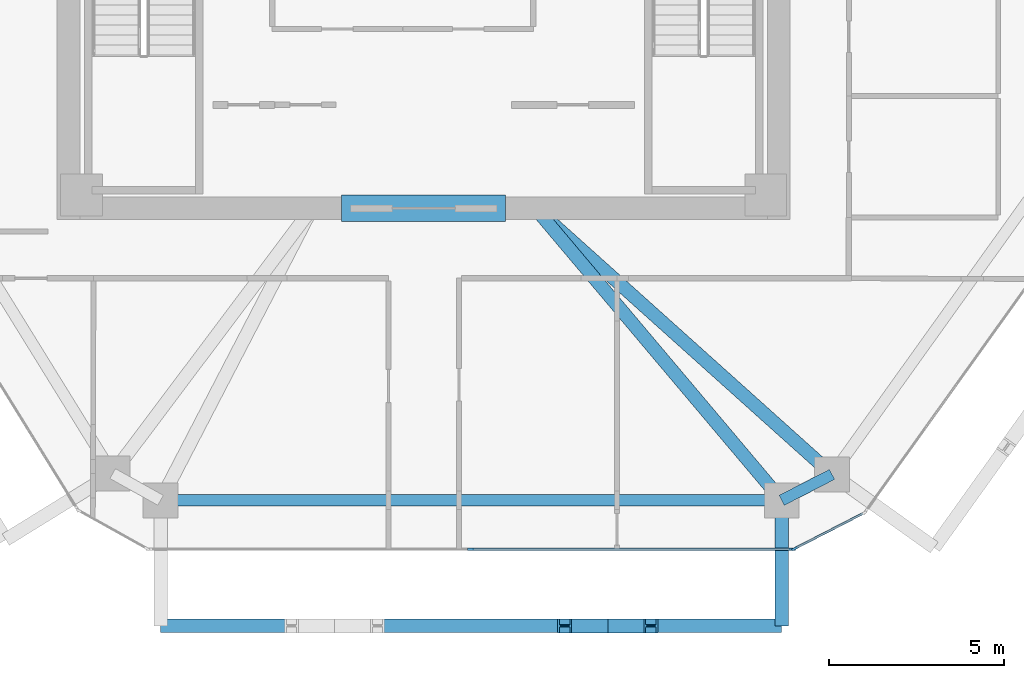
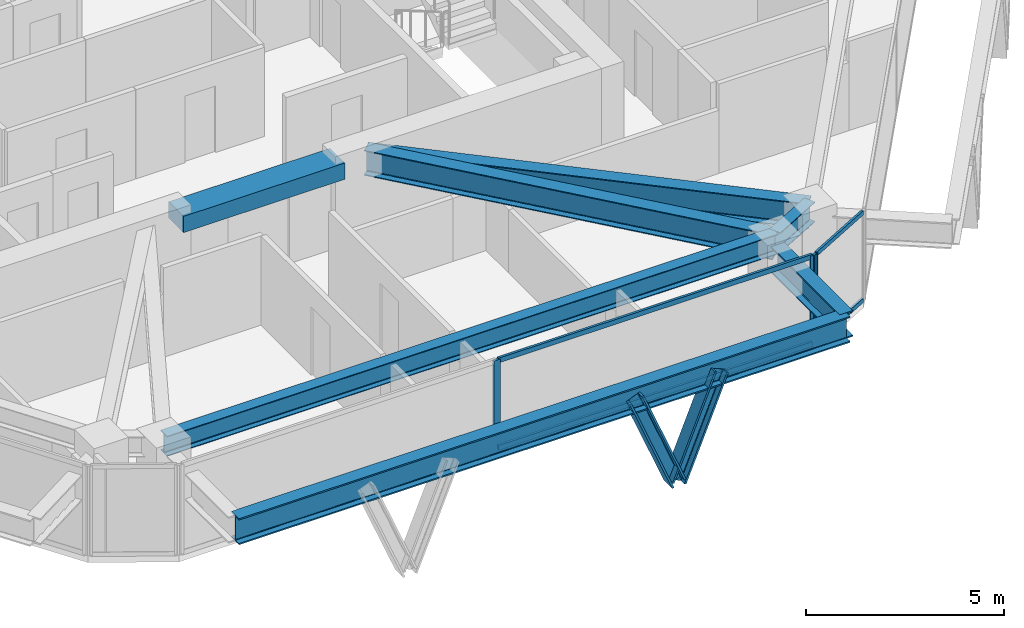
# One storey, part 3 of 12: 9 members, 7 beams, 2 elements without a shape of their own.
"""IFC4 building model written with IfcOpenShell, lengths in metres."""

from ifc_helpers import new_model, si_unit, direction, frame, origin, origin_2d, place, context, subcontext, project, spatial, rectangle, i_section, extrude, source, transform, mapped, material, layer, layer_set, material_profile, profile_set, type_object, type_shapes, element, aggregate, save


model = new_model("IFC4")

# Units and contexts
model_context = context("Model", 3, precision=1e-05, world=origin(), true_north=direction((0.0, 1.0)))
body_context = subcontext(model_context, "Body", "Model", "MODEL_VIEW")
ifc_project = project(units=[si_unit("LENGTHUNIT", "METRE"), si_unit("AREAUNIT", "SQUARE_METRE"), si_unit("VOLUMEUNIT", "CUBIC_METRE"), si_unit("PLANEANGLEUNIT", "RADIAN"), si_unit("MASSUNIT", "GRAM", prefix="KILO")], contexts=[model_context])

# Site, building, storey
site_placement = place(None, origin())
site = spatial("IfcSite", under=ifc_project, at=site_placement, CompositionType="ELEMENT")
building_placement = place(site_placement, origin())
building = spatial("IfcBuilding", under=site, at=building_placement, Name="Durnholm Broadcast Tower", CompositionType="ELEMENT")
storey_placement = place(building_placement, frame((0.0, 0.0, 203.199951171875)))
storey = spatial("IfcBuildingStorey", under=building, at=storey_placement, Name="L56", CompositionType="ELEMENT", Elevation=203.199951171875)

# Beams
ifc_material_1 = material(Name="Steel ASTM A992 Grade 50", Category="steel")
ifc_material_profile_1 = material_profile(ifc_material_1, i_section(OverallWidth=0.385009765625, OverallDepth=0.802978515625, WebThickness=0.023681640625, FlangeThickness=0.0419921875, FilletRadius=0.032958984375, at=origin_2d()), Name="W30X261")
ifc_profile_set_1 = profile_set([ifc_material_profile_1], Name="Steel ASTM A992 Grade 50")
beam_type_1 = type_object("IfcBeamType", Name="BM-EXO-TIE", PredefinedType="USERDEFINED", material=ifc_profile_set_1)
shared_shape_1 = source(origin(), body_context, "Body", "SweptSolid", [
    extrude(i_section(OverallWidth=0.385009765625, OverallDepth=0.802978515625, WebThickness=0.023681640625, FlangeThickness=0.0419921875, FilletRadius=0.032958984375, at=origin_2d()), origin(), (0.0, 0.0, 1.0), 3.4560546875),
])
beam_1_placement = place(storey_placement, frame((10.256591796875, -16.68603515625, 2.008544921875), z_axis=(0.0, -1.0, 0.0), x_axis=(1.0, 0.0, 0.0)))
element("IfcBeam", 1, at=beam_1_placement, inside=storey, type_object=beam_type_1, Name="L56 exoskeleton stand-off tie bracket F1.2", ObjectType="GIRDER", PredefinedType="USERDEFINED", context=body_context, shape_type="MappedRepresentation", body=[
    mapped(shared_shape_1, transform((0.0, 0.0, 0.0), x_axis=(1.0, 0.0, 0.0), y_axis=(0.0, 1.0, 0.0), z_axis=(0.0, 0.0, 1.0), scale=1.0)),
])
ifc_material_2 = material(Name="Concrete C70/85", Category="concrete")
ifc_material_profile_2 = material_profile(ifc_material_2, rectangle(XDim=0.75, YDim=0.5, at=origin_2d()), Name="RC750X500")
ifc_profile_set_2 = profile_set([ifc_material_profile_2], Name="Concrete C70/85")
beam_type_2 = type_object("IfcBeamType", Name="BM-CB-RC500", PredefinedType="LINTEL", material=ifc_profile_set_2)
shared_shape_2 = source(origin(), body_context, "Body", "SweptSolid", [
    extrude(rectangle(XDim=0.75, YDim=0.5, at=origin_2d()), origin(), (0.0, 0.0, 1.0), 4.7001953125),
])
type_shapes(beam_type_2, [shared_shape_2])
beam_2_placement = place(storey_placement, frame((-2.35009765625, -8.175048828125, 2.505126953125), z_axis=(1.0, 0.0, 0.0), x_axis=(0.0, 1.0, 0.0)))
element("IfcBeam", 2, at=beam_2_placement, inside=storey, type_object=beam_type_2, Name="L56 south core coupling lintel beam CB-S", PredefinedType="LINTEL", context=body_context, shape_type="MappedRepresentation", body=[
    mapped(shared_shape_2, transform((0.0, 0.0, 0.0), x_axis=(1.0, 0.0, 0.0), y_axis=(0.0, 1.0, 0.0), z_axis=(0.0, 0.0, 1.0), scale=1.0)),
])
ifc_material_profile_3 = material_profile(ifc_material_1, i_section(OverallWidth=0.3251953125, OverallDepth=0.6162109375, WebThickness=0.013916015625, FlangeThickness=0.021484375, FilletRadius=0.02783203125, at=origin_2d()), Name="W24X117")
ifc_profile_set_3 = profile_set([ifc_material_profile_3], Name="Steel ASTM A992 Grade 50")
beam_type_3 = type_object("IfcBeamType", Name="STL-SP-W24X117", PredefinedType="SPANDREL", material=ifc_profile_set_3)
shared_shape_3 = source(origin(), body_context, "Body", "SweptSolid", [
    extrude(i_section(OverallWidth=0.3251953125, OverallDepth=0.6162109375, WebThickness=0.013916015625, FlangeThickness=0.021484375, FilletRadius=0.02783203125, at=origin_2d()), origin(), (0.0, 0.0, 1.0), 1.62255859375),
])
beam_3_placement = place(storey_placement, frame((11.69970703125, -15.80029296875, 2.43701171875), z_axis=(-0.889406668864, -0.45711680934, 0.0), x_axis=(0.45711680934, -0.889406668864, 0.0)))
element("IfcBeam", 3, at=beam_3_placement, inside=storey, type_object=beam_type_3, Name="L56 perimeter spandrel girder 10", PredefinedType="SPANDREL", context=body_context, shape_type="MappedRepresentation", body=[
    mapped(shared_shape_3, transform((0.0, 0.0, 0.0), x_axis=(1.0, 0.0, 0.0), y_axis=(0.0, 1.0, 0.0), z_axis=(0.0, 0.0, 1.0), scale=1.0)),
])
shared_shape_4 = source(origin(), body_context, "Body", "SweptSolid", [
    extrude(i_section(OverallWidth=0.3251953125, OverallDepth=0.6162109375, WebThickness=0.013916015625, FlangeThickness=0.021484375, FilletRadius=0.02783203125, at=origin_2d()), origin(), (0.0, 0.0, 1.0), 17.796142578125),
])
type_shapes(beam_type_3, [shared_shape_3, shared_shape_4])
beam_4_placement = place(storey_placement, frame((10.256591796875, -16.5419921875, 2.43701171875), z_axis=(-1.0, 0.0, 0.0), x_axis=(0.0, -1.0, 0.0)))
element("IfcBeam", 4, at=beam_4_placement, inside=storey, type_object=beam_type_3, Name="L56 perimeter spandrel girder 11", PredefinedType="SPANDREL", context=body_context, shape_type="MappedRepresentation", body=[
    mapped(shared_shape_4, transform((0.0, 0.0, 0.0), x_axis=(1.0, 0.0, 0.0), y_axis=(0.0, 1.0, 0.0), z_axis=(0.0, 0.0, 1.0), scale=1.0)),
])
shared_shape_5 = source(origin(), body_context, "Body", "SweptSolid", [
    extrude(i_section(OverallWidth=0.385009765625, OverallDepth=0.802978515625, WebThickness=0.023681640625, FlangeThickness=0.0419921875, FilletRadius=0.032958984375, at=origin_2d()), origin(), (0.0, 0.0, 1.0), 17.796142578125),
])
type_shapes(beam_type_1, [shared_shape_1, shared_shape_5])
beam_5_placement = place(storey_placement, frame((-7.53955078125, -20.14208984375, 2.008544921875), z_axis=(1.0, 0.0, 0.0), x_axis=(0.0, 1.0, 0.0)))
element("IfcBeam", 5, at=beam_5_placement, inside=storey, type_object=beam_type_1, Name="L56 exoskeleton collector spandrel F1", PredefinedType="SPANDREL", context=body_context, shape_type="MappedRepresentation", body=[
    mapped(shared_shape_5, transform((0.0, 0.0, 0.0), x_axis=(1.0, 0.0, 0.0), y_axis=(0.0, 1.0, 0.0), z_axis=(0.0, 0.0, 1.0), scale=1.0)),
])
ifc_material_profile_4 = material_profile(ifc_material_1, i_section(OverallWidth=0.380615234375, OverallDepth=0.773193359375, WebThickness=0.0166015625, FlangeThickness=0.027099609375, FilletRadius=0.032958984375, at=origin_2d()), Name="W30X173")
ifc_profile_set_4 = profile_set([ifc_material_profile_4], Name="Steel ASTM A992 Grade 50")
beam_type_4 = type_object("IfcBeamType", Name="STL-GR-W30X173", PredefinedType="USERDEFINED", material=ifc_profile_set_4)
shared_shape_6 = source(origin(), body_context, "Body", "SweptSolid", [
    extrude(i_section(OverallWidth=0.380615234375, OverallDepth=0.773193359375, WebThickness=0.0166015625, FlangeThickness=0.027099609375, FilletRadius=0.032958984375, at=origin_2d()), origin(), (0.0, 0.0, 1.0), 11.4189453125),
])
beam_6_placement = place(storey_placement, frame((3.199951171875, -8.175048828125, 2.3583984375), z_axis=(0.744361631918, -0.667776729849, 0.0), x_axis=(0.667776729849, 0.744361631918, 0.0)))
element("IfcBeam", 6, at=beam_6_placement, inside=storey, type_object=beam_type_4, Name="L56 radial primary floor girder 10", ObjectType="GIRDER", PredefinedType="USERDEFINED", context=body_context, shape_type="MappedRepresentation", body=[
    mapped(shared_shape_6, transform((0.0, 0.0, 0.0), x_axis=(1.0, 0.0, 0.0), y_axis=(0.0, 1.0, 0.0), z_axis=(0.0, 0.0, 1.0), scale=1.0)),
])
shared_shape_7 = source(origin(), body_context, "Body", "SweptSolid", [
    extrude(i_section(OverallWidth=0.380615234375, OverallDepth=0.773193359375, WebThickness=0.0166015625, FlangeThickness=0.027099609375, FilletRadius=0.032958984375, at=origin_2d()), origin(), (0.0, 0.0, 1.0), 10.9453125),
])
type_shapes(beam_type_4, [shared_shape_6, shared_shape_7])
beam_7_placement = place(storey_placement, frame((3.199951171875, -8.175048828125, 2.3583984375), z_axis=(0.644712536066, -0.764425108065, 0.0), x_axis=(0.764425108065, 0.644712536066, 0.0)))
element("IfcBeam", 7, at=beam_7_placement, inside=storey, type_object=beam_type_4, Name="L56 radial primary floor girder 11", ObjectType="GIRDER", PredefinedType="USERDEFINED", context=body_context, shape_type="MappedRepresentation", body=[
    mapped(shared_shape_7, transform((0.0, 0.0, 0.0), x_axis=(1.0, 0.0, 0.0), y_axis=(0.0, 1.0, 0.0), z_axis=(0.0, 0.0, 1.0), scale=1.0)),
])

# Members
ifc_material_3 = material(Name="Steel ASTM A913 Grade 65", Category="steel")
ifc_material_profile_5 = material_profile(ifc_material_3, i_section(OverallWidth=0.412109375, OverallDepth=0.434814453125, WebThickness=0.035888671875, FlangeThickness=0.057373046875, FilletRadius=0.030517578125, at=origin_2d()), Name="W14X311")
ifc_profile_set_5 = profile_set([ifc_material_profile_5], Name="Steel ASTM A913 Grade 65")
member_type_1 = type_object("IfcMemberType", Name="STL-DG-W14X311", PredefinedType="BRACE", material=ifc_profile_set_5)
shared_shape_8 = source(origin(), body_context, "Body", "SweptSolid", [
    extrude(i_section(OverallWidth=0.412109375, OverallDepth=0.434814453125, WebThickness=0.035888671875, FlangeThickness=0.057373046875, FilletRadius=0.030517578125, at=origin_2d()), origin(), (0.0, 0.0, 1.0), 3.243896484375),
])
type_shapes(member_type_1, [shared_shape_8])
for number, where, z_axis, x_axis, name in (
    (8, (5.273681640625, -20.14208984375, -0.991455078125), (-0.380378804119, 0.0, 0.924830776616), (0.0, -1.0, 0.0), "L56 stand-off diagrid brace F1.D2.1"),
    (9, (5.273681640625, -20.14208984375, -0.991455078125), (0.380378804119, 0.0, 0.924830776616), (0.0, 1.0, 0.0), "L56 stand-off diagrid brace F1.D2.2"),
):
    element("IfcMember", number, at=place(storey_placement, frame(where, z_axis=z_axis, x_axis=x_axis)), inside=storey, type_object=member_type_1, Name=name, PredefinedType="BRACE", context=body_context, shape_type="MappedRepresentation", body=[
        mapped(shared_shape_8, transform((0.0, 0.0, 0.0), x_axis=(1.0, 0.0, 0.0), y_axis=(0.0, 1.0, 0.0), z_axis=(0.0, 0.0, 1.0), scale=1.0)),
    ])

# Curtain wall, members
ifc_material_4 = material(Name="Aluminium and Solar Control IGU", Category="aluminium")
ifc_layer_1 = layer(ifc_material_4, 0.1650390625)
ifc_layer_set_1 = layer_set([ifc_layer_1], Name="Aluminium and Solar Control IGU")
curtain_wall_type_1 = type_object("IfcCurtainWallType", Name="CW-SYS-5", PredefinedType="NOTDEFINED", material=ifc_layer_set_1)
curtain_wall_1_placement = place(storey_placement, origin())
curtain_wall_1 = element("IfcCurtainWall", 10, at=curtain_wall_1_placement, inside=storey, type_object=curtain_wall_type_1, Name="L56 curtain wall CW-CORNER CW-L56-CRN-09", PredefinedType="NOTDEFINED")
ifc_material_5 = material(Name="Aluminium 6063-T6", Category="aluminium")
ifc_material_profile_6 = material_profile(ifc_material_5, rectangle(XDim=0.06494140625, YDim=0.1650390625, at=origin_2d()), Name="CWM65X165")
ifc_profile_set_6 = profile_set([ifc_material_profile_6], Name="Aluminium 6063-T6")
member_type_2 = type_object("IfcMemberType", Name="CW-SYS-5-MUL", PredefinedType="MULLION", material=ifc_profile_set_6)
shared_shape_9 = source(origin(), body_context, "Body", "SweptSolid", [
    extrude(rectangle(XDim=0.06494140625, YDim=0.1650390625, at=origin_2d()), origin(), (0.0, 0.0, 1.0), 2.760009765625),
])
type_shapes(member_type_2, [shared_shape_9])
member_1_placement = place(storey_placement, frame((10.624267578125, -17.92724609375, 0.0), z_axis=(0.0, 0.0, 1.0), x_axis=(0.457081764476, -0.889424679545, 0.0)))
member_1 = element("IfcMember", 11, at=member_1_placement, type_object=member_type_2, Name="CW-CORNER mullion 2", PredefinedType="MULLION", context=body_context, shape_type="MappedRepresentation", body=[
    mapped(shared_shape_9, transform((0.0, 0.0, 0.0), x_axis=(1.0, 0.0, 0.0), y_axis=(0.0, 1.0, 0.0), z_axis=(0.0, 0.0, 1.0), scale=1.0)),
])
ifc_material_profile_7 = material_profile(ifc_material_5, rectangle(XDim=0.06494140625, YDim=0.1298828125, at=origin_2d()), Name="CWT65X130")
ifc_profile_set_7 = profile_set([ifc_material_profile_7], Name="Aluminium 6063-T6")
member_type_3 = type_object("IfcMemberType", Name="CW-SYS-5-TRN", PredefinedType="USERDEFINED", material=ifc_profile_set_7)
shared_shape_10 = source(origin(), body_context, "Body", "SweptSolid", [
    extrude(rectangle(XDim=0.06494140625, YDim=0.1298828125, at=origin_2d()), origin(), (0.0, 0.0, 1.0), 2.170166015625),
])
type_shapes(member_type_3, [shared_shape_10])
member_2_placement = place(storey_placement, frame((12.583251953125, -16.92041015625, 0.032470703125), z_axis=(-0.889422414772, -0.457086171417, 0.0), x_axis=(0.457086171417, -0.889422414772, 0.0)))
member_2 = element("IfcMember", 12, at=member_2_placement, type_object=member_type_3, Name="CW-CORNER transom 1.1", ObjectType="TRANSOM", PredefinedType="USERDEFINED", context=body_context, shape_type="MappedRepresentation", body=[
    mapped(shared_shape_10, transform((0.0, 0.0, 0.0), x_axis=(1.0, 0.0, 0.0), y_axis=(0.0, 1.0, 0.0), z_axis=(0.0, 0.0, 1.0), scale=1.0)),
])
member_3_placement = place(storey_placement, frame((12.583251953125, -16.92041015625, 2.7275390625), z_axis=(-0.889422414772, -0.457086171417, 0.0), x_axis=(0.457086171417, -0.889422414772, 0.0)))
member_3 = element("IfcMember", 13, at=member_3_placement, type_object=member_type_3, Name="CW-CORNER transom 1.2", ObjectType="TRANSOM", PredefinedType="USERDEFINED", context=body_context, shape_type="MappedRepresentation", body=[
    mapped(shared_shape_10, transform((0.0, 0.0, 0.0), x_axis=(1.0, 0.0, 0.0), y_axis=(0.0, 1.0, 0.0), z_axis=(0.0, 0.0, 1.0), scale=1.0)),
])
aggregate(curtain_wall_1, [member_1, member_2, member_3])

ifc_layer_2 = layer(ifc_material_4, 0.18994140625)
ifc_layer_set_2 = layer_set([ifc_layer_2], Name="Aluminium and Solar Control IGU")
curtain_wall_type_2 = type_object("IfcCurtainWallType", Name="CW-SYS-4", PredefinedType="NOTDEFINED", material=ifc_layer_set_2)
curtain_wall_2_placement = place(storey_placement, origin())
curtain_wall_2 = element("IfcCurtainWall", 14, at=curtain_wall_2_placement, inside=storey, type_object=curtain_wall_type_2, Name="L56 curtain wall CW-Z34-VIS CW-L56-F10", PredefinedType="NOTDEFINED")
ifc_material_profile_8 = material_profile(ifc_material_5, rectangle(XDim=0.070068359375, YDim=0.14990234375, at=origin_2d()), Name="CWT70X150")
ifc_profile_set_8 = profile_set([ifc_material_profile_8], Name="Aluminium 6063-T6")
member_type_4 = type_object("IfcMemberType", Name="CW-SYS-4-TRN", PredefinedType="USERDEFINED", material=ifc_profile_set_8)
shared_shape_11 = source(origin(), body_context, "Body", "SweptSolid", [
    extrude(rectangle(XDim=0.070068359375, YDim=0.14990234375, at=origin_2d()), origin(), (0.0, 0.0, 1.0), 9.14453125),
])
type_shapes(member_type_4, [shared_shape_11])
member_4_placement = place(storey_placement, frame((10.525390625, -17.94189453125, 0.03515625), z_axis=(-1.0, 0.0, 0.0), x_axis=(0.0, -1.0, 0.0)))
member_4 = element("IfcMember", 15, at=member_4_placement, type_object=member_type_4, Name="CW-Z34-VIS transom 1.1", ObjectType="TRANSOM", PredefinedType="USERDEFINED", context=body_context, shape_type="MappedRepresentation", body=[
    mapped(shared_shape_11, transform((0.0, 0.0, 0.0), x_axis=(1.0, 0.0, 0.0), y_axis=(0.0, 1.0, 0.0), z_axis=(0.0, 0.0, 1.0), scale=1.0)),
])
member_5_placement = place(storey_placement, frame((10.525390625, -17.94189453125, 2.72509765625), z_axis=(-1.0, 0.0, 0.0), x_axis=(0.0, -1.0, 0.0)))
member_5 = element("IfcMember", 16, at=member_5_placement, type_object=member_type_4, Name="CW-Z34-VIS transom 1.2", ObjectType="TRANSOM", PredefinedType="USERDEFINED", context=body_context, shape_type="MappedRepresentation", body=[
    mapped(shared_shape_11, transform((0.0, 0.0, 0.0), x_axis=(1.0, 0.0, 0.0), y_axis=(0.0, 1.0, 0.0), z_axis=(0.0, 0.0, 1.0), scale=1.0)),
])
ifc_material_profile_9 = material_profile(ifc_material_5, rectangle(XDim=0.070068359375, YDim=0.18994140625, at=origin_2d()), Name="CWM70X190")
ifc_profile_set_9 = profile_set([ifc_material_profile_9], Name="Aluminium 6063-T6")
member_type_5 = type_object("IfcMemberType", Name="CW-SYS-4-MUL", PredefinedType="MULLION", material=ifc_profile_set_9)
shared_shape_12 = source(origin(), body_context, "Body", "SweptSolid", [
    extrude(rectangle(XDim=0.070068359375, YDim=0.18994140625, at=origin_2d()), origin(), (0.0, 0.0, 1.0), 2.760009765625),
])
type_shapes(member_type_5, [shared_shape_12])
member_6_placement = place(storey_placement, frame((10.560302734375, -17.94189453125, 0.0), z_axis=(0.0, 0.0, 1.0), x_axis=(0.0, -1.0, 0.0)))
member_6 = element("IfcMember", 17, at=member_6_placement, type_object=member_type_5, Name="CW-Z34-VIS mullion 1", PredefinedType="MULLION", context=body_context, shape_type="MappedRepresentation", body=[
    mapped(shared_shape_12, transform((0.0, 0.0, 0.0), x_axis=(1.0, 0.0, 0.0), y_axis=(0.0, 1.0, 0.0), z_axis=(0.0, 0.0, 1.0), scale=1.0)),
])
member_7_placement = place(storey_placement, frame((1.345947265625, -17.94189453125, 0.0), z_axis=(0.0, 0.0, 1.0), x_axis=(0.0, -1.0, 0.0)))
member_7 = element("IfcMember", 18, at=member_7_placement, type_object=member_type_5, Name="CW-Z34-VIS mullion 2", PredefinedType="MULLION", context=body_context, shape_type="MappedRepresentation", body=[
    mapped(shared_shape_12, transform((0.0, 0.0, 0.0), x_axis=(1.0, 0.0, 0.0), y_axis=(0.0, 1.0, 0.0), z_axis=(0.0, 0.0, 1.0), scale=1.0)),
])
aggregate(curtain_wall_2, [member_6, member_7, member_4, member_5])

save(model, "model.ifc")
